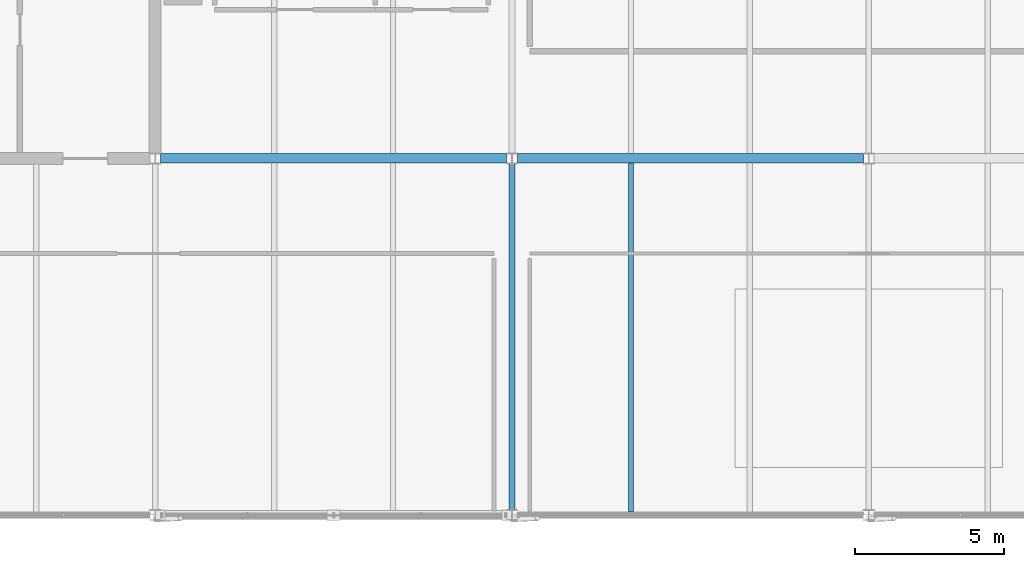
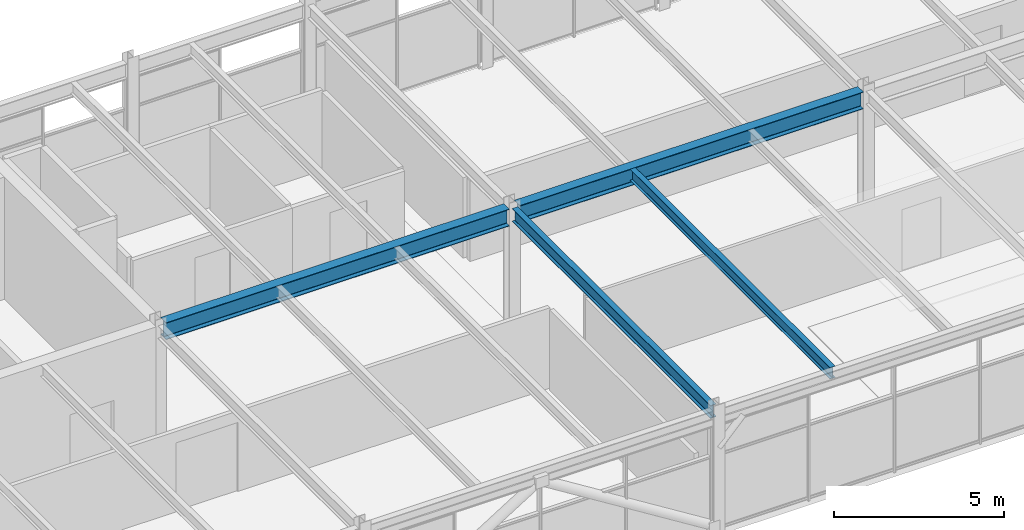
# One storey, part 9 of 28: 4 beams.
"""IFC4 building model written with IfcOpenShell, lengths in metres."""

from ifc_helpers import new_model, si_unit, direction, frame, origin, origin_2d, place, context, subcontext, project, spatial, i_section, extrude, material, material_profile, profile_set, type_object, element, save


model = new_model("IFC4")

# Units and contexts
model_context = context("Model", 3, precision=1e-05, world=origin(), true_north=direction((0.0, 1.0)))
body_context = subcontext(model_context, "Body", "Model", "MODEL_VIEW")
ifc_project = project(units=[si_unit("LENGTHUNIT", "METRE"), si_unit("AREAUNIT", "SQUARE_METRE"), si_unit("VOLUMEUNIT", "CUBIC_METRE"), si_unit("PLANEANGLEUNIT", "RADIAN"), si_unit("MASSUNIT", "GRAM", prefix="KILO")], contexts=[model_context])

# Site, building, storey
site_placement = place(None, origin())
site = spatial("IfcSite", under=ifc_project, at=site_placement, CompositionType="ELEMENT")
building_placement = place(site_placement, origin())
building = spatial("IfcBuilding", under=site, at=building_placement, Name="Girod Span Mobility Hub", CompositionType="ELEMENT")
storey_placement = place(building_placement, frame((0.0, 0.0, 69.60009765625)))
storey = spatial("IfcBuildingStorey", under=building, at=storey_placement, Name="L17", CompositionType="ELEMENT", Elevation=69.60009765625)

# Beams
ifc_material_1 = material(Name="Steel A992 Grade 50", Category="steel")
ifc_material_profile_1 = material_profile(ifc_material_1, i_section(OverallWidth=0.178955078125, OverallDepth=0.409912109375, WebThickness=0.0087890625, FlangeThickness=0.014404296875, FilletRadius=0.012939453125, at=origin_2d()), Name="W16X45")
ifc_profile_set_1 = profile_set([ifc_material_profile_1], Name="Steel A992 Grade 50")
beam_type_1 = type_object("IfcBeamType", Name="BM-STL-W16X45", PredefinedType="BEAM", material=ifc_profile_set_1)
beam_1_placement = place(storey_placement, frame((76.0, 45.10302734375, 4.1748046875), z_axis=(0.0, 1.0, 0.0), x_axis=(-1.0, 0.0, 0.0)))
element("IfcBeam", 1, at=beam_1_placement, inside=storey, type_object=beam_type_1, Name="Composite Floorbeam 7/D-1 L17", PredefinedType="BEAM", context=body_context, shape_type="SweptSolid", body=[
    extrude(i_section(OverallWidth=0.178955078125, OverallDepth=0.409912109375, WebThickness=0.0087890625, FlangeThickness=0.014404296875, FilletRadius=0.012939453125, at=origin_2d()), origin(), (0.0, 0.0, 1.0), 11.738037109375),
])
ifc_material_2 = material(Name="Steel A992 Grade 50", Category="steel")
ifc_material_profile_2 = material_profile(ifc_material_2, i_section(OverallWidth=0.19189453125, OverallDepth=0.462890625, WebThickness=0.010498046875, FlangeThickness=0.017578125, FilletRadius=0.013916015625, at=origin_2d()), Name="W18X60")
ifc_profile_set_2 = profile_set([ifc_material_profile_2], Name="Steel A992 Grade 50")
beam_type_2 = type_object("IfcBeamType", Name="BM-STL-W18X60", PredefinedType="BEAM", material=ifc_profile_set_2)
beam_2_placement = place(storey_placement, frame((72.0, 45.175048828125, 4.1484375), z_axis=(0.0, 1.0, 0.0), x_axis=(-1.0, 0.0, 0.0)))
element("IfcBeam", 2, at=beam_2_placement, inside=storey, type_object=beam_type_2, Name="Tie Girder 7/D-E L17", PredefinedType="BEAM", context=body_context, shape_type="SweptSolid", body=[
    extrude(i_section(OverallWidth=0.19189453125, OverallDepth=0.462890625, WebThickness=0.010498046875, FlangeThickness=0.017578125, FilletRadius=0.013916015625, at=origin_2d()), origin(), (0.0, 0.0, 1.0), 11.64990234375),
])
ifc_material_3 = material(Name="Steel A992 Grade 50", Category="steel")
ifc_material_profile_3 = material_profile(ifc_material_3, i_section(OverallWidth=0.323974609375, OverallDepth=0.611083984375, WebThickness=0.0126953125, FlangeThickness=0.01904296875, FilletRadius=0.014892578125, at=origin_2d()), Name="W24X104")
ifc_profile_set_3 = profile_set([ifc_material_profile_3], Name="Steel A992 Grade 50")
beam_type_3 = type_object("IfcBeamType", Name="BM-STL-W24X104", PredefinedType="BEAM", material=ifc_profile_set_3)
for number, where, z_axis, x_axis, name in (
    (3, (60.181396484375, 57.0, 4.074462890625), (1.0, 0.0, 0.0), (0.0, 1.0, 0.0), "Girder 6-7/E L17"),
    (4, (72.181396484375, 57.0, 4.074462890625), (1.0, 0.0, 0.0), (0.0, 1.0, 0.0), "Girder 7-8/E L17"),
):
    element("IfcBeam", number, at=place(storey_placement, frame(where, z_axis=z_axis, x_axis=x_axis)), inside=storey, type_object=beam_type_3, Name=name, PredefinedType="BEAM", context=body_context, shape_type="SweptSolid", body=[
        extrude(i_section(OverallWidth=0.323974609375, OverallDepth=0.611083984375, WebThickness=0.0126953125, FlangeThickness=0.01904296875, FilletRadius=0.014892578125, at=origin_2d()), origin(), (0.0, 0.0, 1.0), 11.63720703125),
    ])

save(model, "model.ifc")
